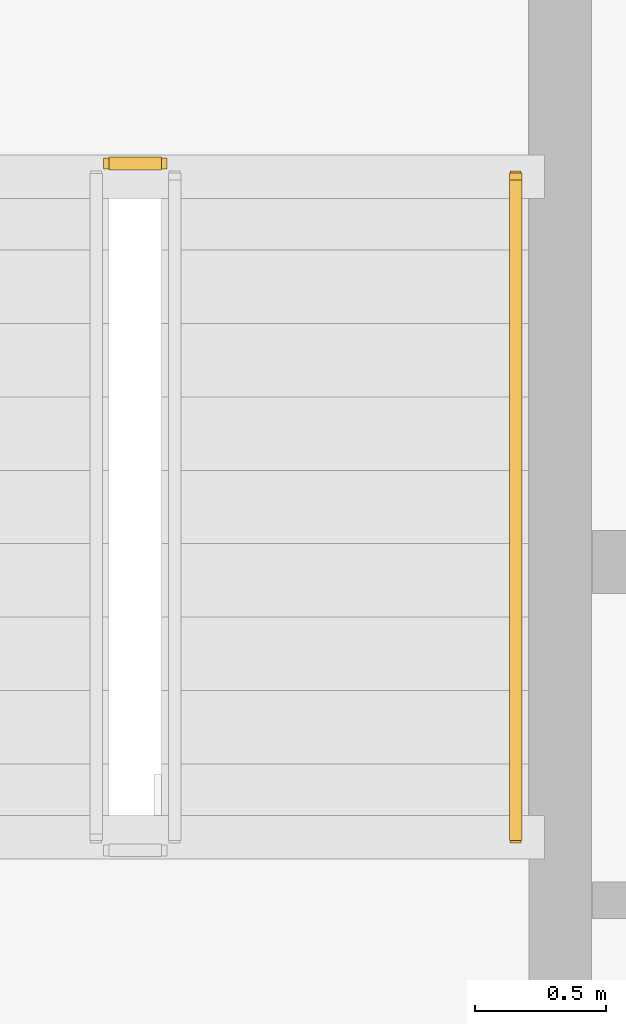
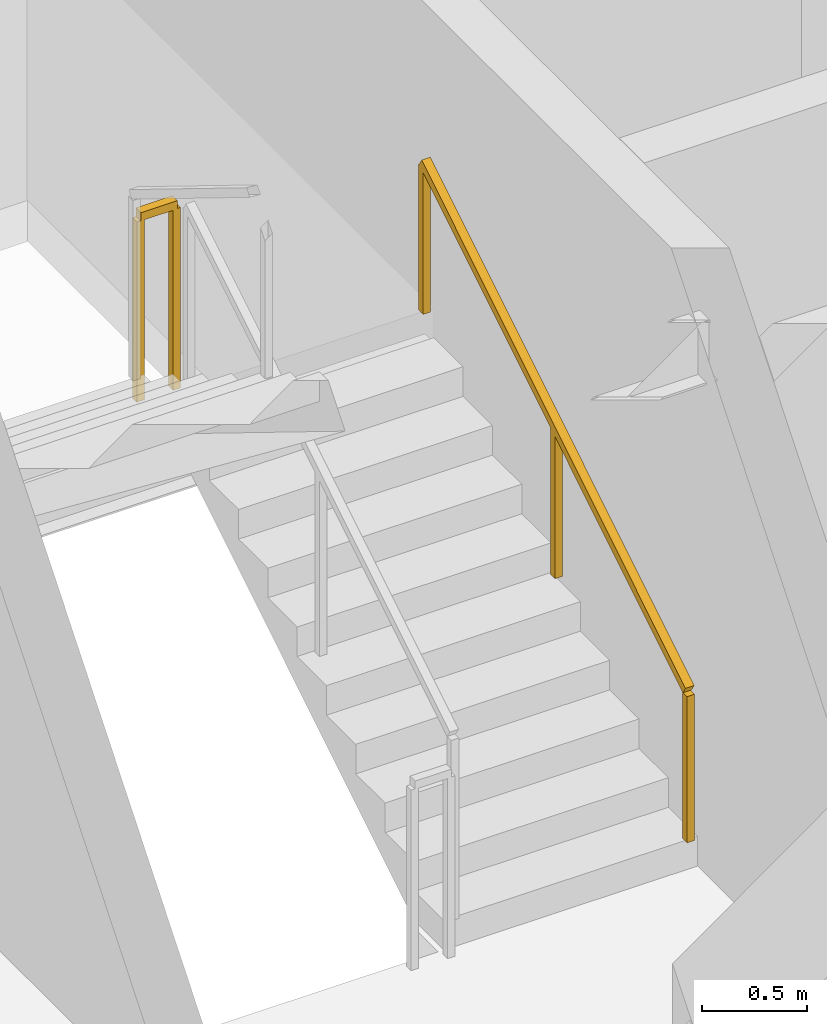
# One storey, part 11 of 12: 2 railings.
"""IFC4 building model written with IfcOpenShell, lengths in metres."""

from ifc_helpers import new_model, si_unit, direction, frame, origin, origin_2d, place, context, subcontext, project, spatial, rectangle, extrude, material, type_object, element, save


model = new_model("IFC4")

# Units and contexts
model_context = context("Model", 3, precision=1e-05, world=origin(), true_north=direction((0.0, 1.0)))
body_context = subcontext(model_context, "Body", "Model", "MODEL_VIEW")
ifc_project = project(units=[si_unit("LENGTHUNIT", "METRE"), si_unit("AREAUNIT", "SQUARE_METRE"), si_unit("VOLUMEUNIT", "CUBIC_METRE"), si_unit("PLANEANGLEUNIT", "RADIAN"), si_unit("MASSUNIT", "GRAM", prefix="KILO")], contexts=[model_context])

# Site, building, storey
site_placement = place(None, origin())
site = spatial("IfcSite", under=ifc_project, at=site_placement, CompositionType="ELEMENT")
building_placement = place(site_placement, origin())
building = spatial("IfcBuilding", under=site, at=building_placement, Name="Haldorwick Loom Tower", CompositionType="ELEMENT")
storey_placement = place(building_placement, frame((0.0, 0.0, 237.449951171875)))
storey = spatial("IfcBuildingStorey", under=building, at=storey_placement, Name="L64", CompositionType="ELEMENT", Elevation=237.449951171875)

# Railings
ifc_material = material(Name="Steel CSA G40.21 350W", Category="steel")
railing_type_1 = type_object("IfcRailingType", Name="ARC-RLG-GUARD112", PredefinedType="GUARDRAIL", material=ifc_material)
railing_1_placement = place(storey_placement, frame((31.85009765625, 30.969970703125, 1.72509765625)))
element("IfcRailing", 1, at=railing_1_placement, inside=storey, type_object=railing_type_1, Name="L64 ST-03 stair guard 2", PredefinedType="GUARDRAIL", context=body_context, shape_type="SweptSolid", body=[
    extrude(rectangle(XDim=0.048095703125, YDim=0.048095703125, at=origin_2d()), frame((0.0, 0.0, 1.076171875), z_axis=(-1.0, 0.0, 0.0), x_axis=(0.0, -1.0, 0.0)), (0.0, 0.0, 1.0), 0.2001953125),
    extrude(rectangle(XDim=0.0419921875, YDim=0.0419921875, at=origin_2d()), origin(), (0.0, 0.0, 1.0), 1.052001953125),
    extrude(rectangle(XDim=0.0419921875, YDim=0.0419921875, at=origin_2d()), frame((-0.2001953125, 0.0, 0.0)), (0.0, 0.0, 1.0), 1.052001953125),
])
railing_type_2 = type_object("IfcRailingType", Name="ARC-RLG-HAND092", PredefinedType="HANDRAIL", material=ifc_material)
railing_2_placement = place(storey_placement, frame((33.199951171875, 28.39990234375, 0.172607421875)))
element("IfcRailing", 2, at=railing_2_placement, inside=storey, type_object=railing_type_2, Name="L64 ST-03 stair handrail 1", PredefinedType="HANDRAIL", context=body_context, shape_type="SweptSolid", body=[
    extrude(rectangle(XDim=0.048095703125, YDim=0.048095703125, at=origin_2d()), frame((0.0, 0.0, 0.8759765625), z_axis=(0.0, 0.851400495292, 0.524516154772), x_axis=(-1.0, 0.0, 0.0)), (0.0, 0.0, 1.0), 2.9599609375),
    extrude(rectangle(XDim=0.0419921875, YDim=0.0419921875, at=origin_2d()), origin(), (0.0, 0.0, 1.0), 0.851806640625),
    extrude(rectangle(XDim=0.0419921875, YDim=0.0419921875, at=origin_2d()), frame((0.0, 1.260009765625, 0.7763671875)), (0.0, 0.0, 1.0), 0.851806640625),
    extrude(rectangle(XDim=0.0419921875, YDim=0.0419921875, at=origin_2d()), frame((0.0, 2.52001953125, 1.552490234375)), (0.0, 0.0, 1.0), 0.851806640625),
])

save(model, "model.ifc")
